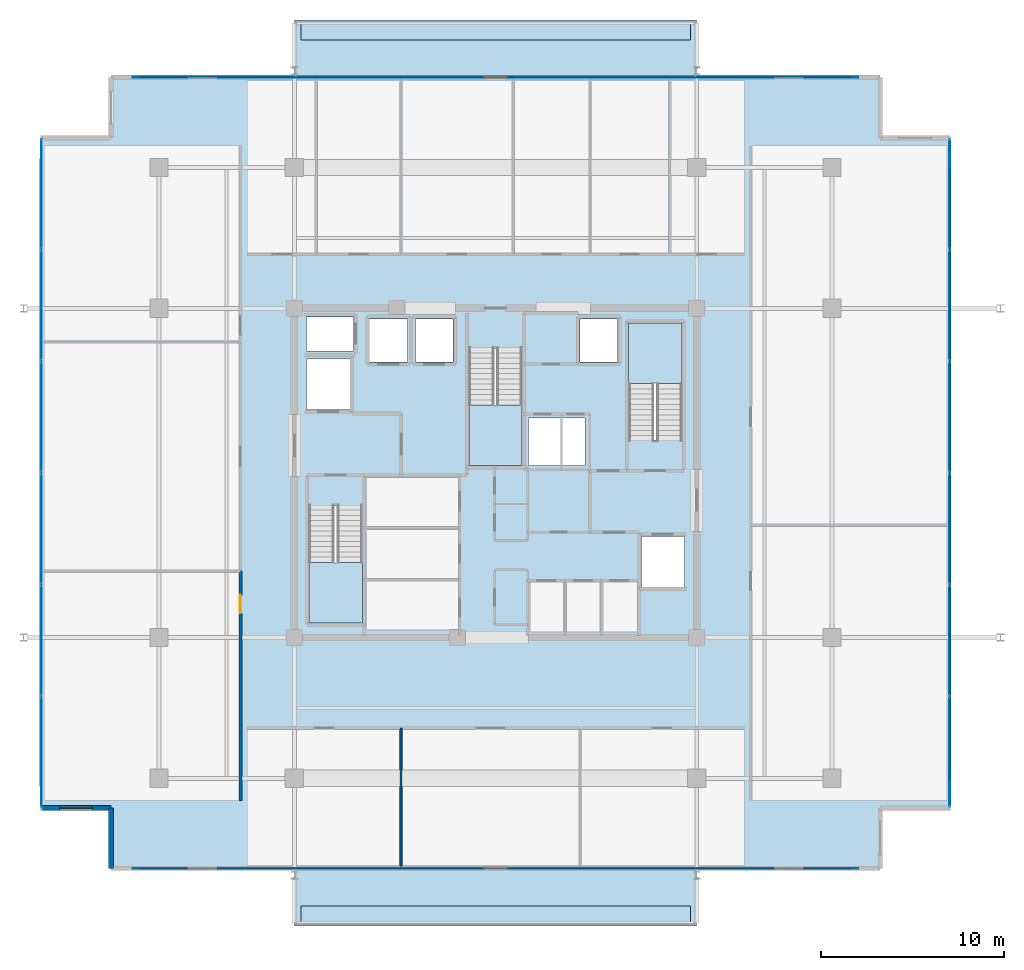
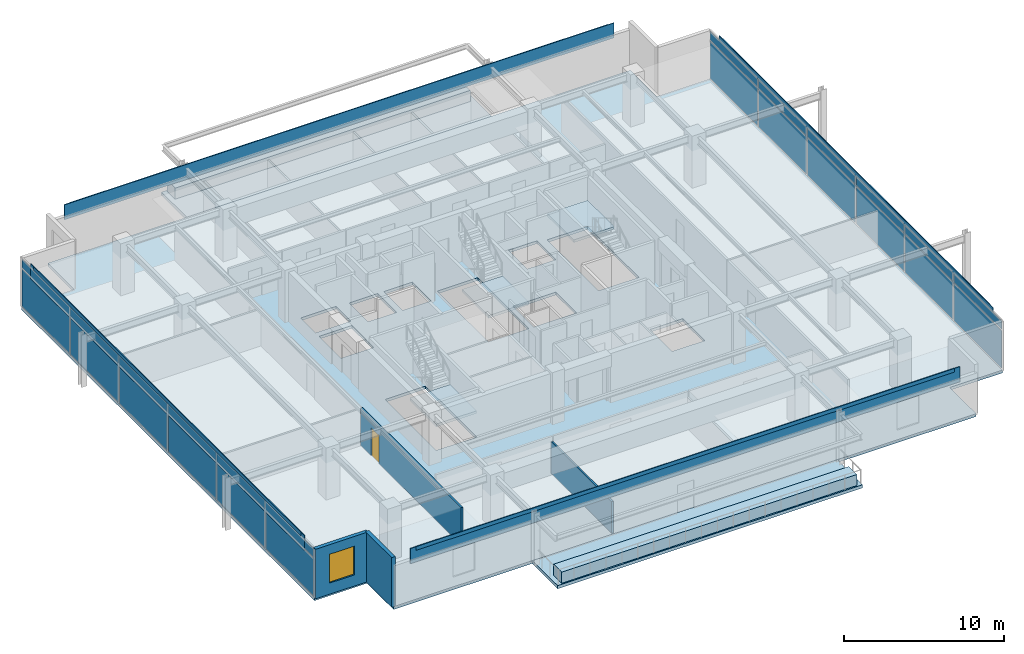
# One storey, part 12 of 20: 32 plates, 8 slabs, 4 walls, 1 door, 1 window, 2 openings, 5 elements without a shape of their own.
"""IFC4 building model written with IfcOpenShell, lengths in metres."""

from ifc_helpers import new_model, si_unit, direction, frame, frame_2d, origin, origin_2d, place, context, subcontext, project, spatial, polyline, rectangle, outline, extrude, material, layer, layer_set, type_object, element, fill, aggregate, save


model = new_model("IFC4")

# Units and contexts
model_context = context("Model", 3, precision=1e-05, world=origin(), true_north=direction((0.0, 1.0)))
body_context = subcontext(model_context, "Body", "Model", "MODEL_VIEW")
ifc_project = project(units=[si_unit("LENGTHUNIT", "METRE"), si_unit("AREAUNIT", "SQUARE_METRE"), si_unit("VOLUMEUNIT", "CUBIC_METRE"), si_unit("PLANEANGLEUNIT", "RADIAN"), si_unit("MASSUNIT", "GRAM", prefix="KILO")], contexts=[model_context])

# Site, building, storey
site_placement = place(None, origin())
site = spatial("IfcSite", under=ifc_project, at=site_placement, CompositionType="ELEMENT")
building_placement = place(site_placement, origin())
building = spatial("IfcBuilding", under=site, at=building_placement, Name="Kovane Verandah Tower", CompositionType="ELEMENT")
storey_placement = place(building_placement, frame((0.0, 0.0, 318.800048828125)))
storey = spatial("IfcBuildingStorey", under=building, at=storey_placement, Name="L74", CompositionType="ELEMENT", Elevation=318.800048828125)

# Curtain wall, plates
ifc_material_1 = material(Name="Champagne Anodised Aluminium Frame with Low-E Clear Laminated Glass", Category="aluminium")
curtain_wall_type = type_object("IfcCurtainWallType", Name="CW-SYS-05-HIGH", PredefinedType="NOTDEFINED", material=ifc_material_1)
curtain_wall_1_placement = place(storey_placement, origin())
curtain_wall_1 = element("IfcCurtainWall", 1, at=curtain_wall_1_placement, inside=storey, type_object=curtain_wall_type, Name="L74 E Unitised Curtain Wall", PredefinedType="NOTDEFINED")
ifc_material_2 = material(Name="Pale Champagne Anodised Aluminium Insulated Spandrel", Category="aluminium")
ifc_layer_1 = layer(ifc_material_2, 0.0400390625)
ifc_layer_set_1 = layer_set([ifc_layer_1], Name="Pale Champagne Anodised Aluminium Insulated Spandrel")
plate_type_1 = type_object("IfcPlateType", Name="PL-CW-SPD-40", PredefinedType="SHEET", material=ifc_layer_set_1)
plate_1_placement = place(storey_placement, frame((64.83154296875, 12.23681640625, 3.05517578125), z_axis=(0.0, 0.0, 1.0), x_axis=(0.0, 1.0, 0.0)))
plate_1 = element("IfcPlate", 2, at=plate_1_placement, type_object=plate_type_1, Name="L74 E Unitised Curtain Wall Spandrel Panel 1", PredefinedType="SHEET", context=body_context, shape_type="SweptSolid", body=[
    extrude(rectangle(XDim=5.965087890625, YDim=0.0400390625, at=origin_2d()), origin(), (0.0, 0.0, 1.0), 0.639892578125),
])
plate_2_placement = place(storey_placement, frame((64.83154296875, 18.34228515625, 3.05517578125), z_axis=(0.0, 0.0, 1.0), x_axis=(0.0, 1.0, 0.0)))
plate_2 = element("IfcPlate", 3, at=plate_2_placement, type_object=plate_type_1, Name="L74 E Unitised Curtain Wall Spandrel Panel 2", PredefinedType="SHEET", context=body_context, shape_type="SweptSolid", body=[
    extrude(rectangle(XDim=5.965087890625, YDim=0.0400390625, at=origin_2d()), origin(), (0.0, 0.0, 1.0), 0.639892578125),
])
plate_3_placement = place(storey_placement, frame((64.83154296875, 24.447509765625, 3.05517578125), z_axis=(0.0, 0.0, 1.0), x_axis=(0.0, 1.0, 0.0)))
plate_3 = element("IfcPlate", 4, at=plate_3_placement, type_object=plate_type_1, Name="L74 E Unitised Curtain Wall Spandrel Panel 3", PredefinedType="SHEET", context=body_context, shape_type="SweptSolid", body=[
    extrude(rectangle(XDim=5.965087890625, YDim=0.0400390625, at=origin_2d()), origin(), (0.0, 0.0, 1.0), 0.639892578125),
])
plate_4_placement = place(storey_placement, frame((64.83154296875, 30.552490234375, 3.05517578125), z_axis=(0.0, 0.0, 1.0), x_axis=(0.0, 1.0, 0.0)))
plate_4 = element("IfcPlate", 5, at=plate_4_placement, type_object=plate_type_1, Name="L74 E Unitised Curtain Wall Spandrel Panel 4", PredefinedType="SHEET", context=body_context, shape_type="SweptSolid", body=[
    extrude(rectangle(XDim=5.965087890625, YDim=0.0400390625, at=origin_2d()), origin(), (0.0, 0.0, 1.0), 0.639892578125),
])
plate_5_placement = place(storey_placement, frame((64.83154296875, 36.65771484375, 3.05517578125), z_axis=(0.0, 0.0, 1.0), x_axis=(0.0, 1.0, 0.0)))
plate_5 = element("IfcPlate", 6, at=plate_5_placement, type_object=plate_type_1, Name="L74 E Unitised Curtain Wall Spandrel Panel 5", PredefinedType="SHEET", context=body_context, shape_type="SweptSolid", body=[
    extrude(rectangle(XDim=5.965087890625, YDim=0.0400390625, at=origin_2d()), origin(), (0.0, 0.0, 1.0), 0.639892578125),
])
plate_6_placement = place(storey_placement, frame((64.83154296875, 42.76318359375, 3.05517578125), z_axis=(0.0, 0.0, 1.0), x_axis=(0.0, 1.0, 0.0)))
plate_6 = element("IfcPlate", 7, at=plate_6_placement, type_object=plate_type_1, Name="L74 E Unitised Curtain Wall Spandrel Panel 6", PredefinedType="SHEET", context=body_context, shape_type="SweptSolid", body=[
    extrude(rectangle(XDim=5.965087890625, YDim=0.0400390625, at=origin_2d()), origin(), (0.0, 0.0, 1.0), 0.639892578125),
])

curtain_wall_2_placement = place(storey_placement, origin())
curtain_wall_2 = element("IfcCurtainWall", 8, at=curtain_wall_2_placement, inside=storey, type_object=curtain_wall_type, Name="L74 W Unitised Curtain Wall", PredefinedType="NOTDEFINED")
plate_7_placement = place(storey_placement, frame((15.16845703125, 42.76318359375, 3.05517578125), z_axis=(0.0, 0.0, 1.0), x_axis=(0.0, -1.0, 0.0)))
plate_7 = element("IfcPlate", 9, at=plate_7_placement, type_object=plate_type_1, Name="L74 W Unitised Curtain Wall Spandrel Panel 1", PredefinedType="SHEET", context=body_context, shape_type="SweptSolid", body=[
    extrude(rectangle(XDim=5.965087890625, YDim=0.0400390625, at=origin_2d()), origin(), (0.0, 0.0, 1.0), 0.639892578125),
])
plate_8_placement = place(storey_placement, frame((15.16845703125, 36.65771484375, 3.05517578125), z_axis=(0.0, 0.0, 1.0), x_axis=(0.0, -1.0, 0.0)))
plate_8 = element("IfcPlate", 10, at=plate_8_placement, type_object=plate_type_1, Name="L74 W Unitised Curtain Wall Spandrel Panel 2", PredefinedType="SHEET", context=body_context, shape_type="SweptSolid", body=[
    extrude(rectangle(XDim=5.965087890625, YDim=0.0400390625, at=origin_2d()), origin(), (0.0, 0.0, 1.0), 0.639892578125),
])
plate_9_placement = place(storey_placement, frame((15.16845703125, 30.552490234375, 3.05517578125), z_axis=(0.0, 0.0, 1.0), x_axis=(0.0, -1.0, 0.0)))
plate_9 = element("IfcPlate", 11, at=plate_9_placement, type_object=plate_type_1, Name="L74 W Unitised Curtain Wall Spandrel Panel 3", PredefinedType="SHEET", context=body_context, shape_type="SweptSolid", body=[
    extrude(rectangle(XDim=5.965087890625, YDim=0.0400390625, at=origin_2d()), origin(), (0.0, 0.0, 1.0), 0.639892578125),
])
plate_10_placement = place(storey_placement, frame((15.16845703125, 24.447509765625, 3.05517578125), z_axis=(0.0, 0.0, 1.0), x_axis=(0.0, -1.0, 0.0)))
plate_10 = element("IfcPlate", 12, at=plate_10_placement, type_object=plate_type_1, Name="L74 W Unitised Curtain Wall Spandrel Panel 4", PredefinedType="SHEET", context=body_context, shape_type="SweptSolid", body=[
    extrude(rectangle(XDim=5.965087890625, YDim=0.0400390625, at=origin_2d()), origin(), (0.0, 0.0, 1.0), 0.639892578125),
])
plate_11_placement = place(storey_placement, frame((15.16845703125, 18.342041015625, 3.05517578125), z_axis=(0.0, 0.0, 1.0), x_axis=(0.0, -1.0, 0.0)))
plate_11 = element("IfcPlate", 13, at=plate_11_placement, type_object=plate_type_1, Name="L74 W Unitised Curtain Wall Spandrel Panel 5", PredefinedType="SHEET", context=body_context, shape_type="SweptSolid", body=[
    extrude(rectangle(XDim=5.965087890625, YDim=0.0400390625, at=origin_2d()), origin(), (0.0, 0.0, 1.0), 0.639892578125),
])
plate_12_placement = place(storey_placement, frame((15.16845703125, 12.23681640625, 3.05517578125), z_axis=(0.0, 0.0, 1.0), x_axis=(0.0, -1.0, 0.0)))
plate_12 = element("IfcPlate", 14, at=plate_12_placement, type_object=plate_type_1, Name="L74 W Unitised Curtain Wall Spandrel Panel 6", PredefinedType="SHEET", context=body_context, shape_type="SweptSolid", body=[
    extrude(rectangle(XDim=5.965087890625, YDim=0.0400390625, at=origin_2d()), origin(), (0.0, 0.0, 1.0), 0.639892578125),
])

# Plate
ifc_material_3 = material(Name="Clear Low-E Laminated Double Glazing", Category="glass")
ifc_layer_2 = layer(ifc_material_3, 0.031982421875)
ifc_layer_set_2 = layer_set([ifc_layer_2], Name="Clear Low-E Laminated Double Glazing")
plate_type_2 = type_object("IfcPlateType", Name="PL-CW-VIS-32", PredefinedType="CURTAIN_PANEL", material=ifc_layer_set_2)
plate_13_placement = place(storey_placement, frame((64.83154296875, 12.23681640625, 0.099853515625), z_axis=(0.0, 0.0, 1.0), x_axis=(0.0, 1.0, 0.0)))
plate_13 = element("IfcPlate", 15, at=plate_13_placement, type_object=plate_type_2, Name="L74 E Unitised Curtain Wall Vision Panel 1", PredefinedType="CURTAIN_PANEL", context=body_context, shape_type="SweptSolid", body=[
    extrude(rectangle(XDim=5.965087890625, YDim=0.031982421875, at=origin_2d()), origin(), (0.0, 0.0, 1.0), 2.85498046875),
])

plate_14_placement = place(storey_placement, frame((64.83154296875, 18.34228515625, 0.099853515625), z_axis=(0.0, 0.0, 1.0), x_axis=(0.0, 1.0, 0.0)))
plate_14 = element("IfcPlate", 16, at=plate_14_placement, type_object=plate_type_2, Name="L74 E Unitised Curtain Wall Vision Panel 2", PredefinedType="CURTAIN_PANEL", context=body_context, shape_type="SweptSolid", body=[
    extrude(rectangle(XDim=5.965087890625, YDim=0.031982421875, at=origin_2d()), origin(), (0.0, 0.0, 1.0), 2.85498046875),
])

plate_15_placement = place(storey_placement, frame((64.83154296875, 24.447509765625, 0.099853515625), z_axis=(0.0, 0.0, 1.0), x_axis=(0.0, 1.0, 0.0)))
plate_15 = element("IfcPlate", 17, at=plate_15_placement, type_object=plate_type_2, Name="L74 E Unitised Curtain Wall Vision Panel 3", PredefinedType="CURTAIN_PANEL", context=body_context, shape_type="SweptSolid", body=[
    extrude(rectangle(XDim=5.965087890625, YDim=0.031982421875, at=origin_2d()), origin(), (0.0, 0.0, 1.0), 2.85498046875),
])

plate_16_placement = place(storey_placement, frame((64.83154296875, 30.552490234375, 0.099853515625), z_axis=(0.0, 0.0, 1.0), x_axis=(0.0, 1.0, 0.0)))
plate_16 = element("IfcPlate", 18, at=plate_16_placement, type_object=plate_type_2, Name="L74 E Unitised Curtain Wall Vision Panel 4", PredefinedType="CURTAIN_PANEL", context=body_context, shape_type="SweptSolid", body=[
    extrude(rectangle(XDim=5.965087890625, YDim=0.031982421875, at=origin_2d()), origin(), (0.0, 0.0, 1.0), 2.85498046875),
])

plate_17_placement = place(storey_placement, frame((64.83154296875, 36.65771484375, 0.099853515625), z_axis=(0.0, 0.0, 1.0), x_axis=(0.0, 1.0, 0.0)))
plate_17 = element("IfcPlate", 19, at=plate_17_placement, type_object=plate_type_2, Name="L74 E Unitised Curtain Wall Vision Panel 5", PredefinedType="CURTAIN_PANEL", context=body_context, shape_type="SweptSolid", body=[
    extrude(rectangle(XDim=5.965087890625, YDim=0.031982421875, at=origin_2d()), origin(), (0.0, 0.0, 1.0), 2.85498046875),
])

plate_18_placement = place(storey_placement, frame((64.83154296875, 42.76318359375, 0.099853515625), z_axis=(0.0, 0.0, 1.0), x_axis=(0.0, 1.0, 0.0)))
plate_18 = element("IfcPlate", 20, at=plate_18_placement, type_object=plate_type_2, Name="L74 E Unitised Curtain Wall Vision Panel 6", PredefinedType="CURTAIN_PANEL", context=body_context, shape_type="SweptSolid", body=[
    extrude(rectangle(XDim=5.965087890625, YDim=0.031982421875, at=origin_2d()), origin(), (0.0, 0.0, 1.0), 2.85498046875),
])

aggregate(curtain_wall_1, [plate_13, plate_1, plate_14, plate_2, plate_15, plate_3, plate_16, plate_4, plate_17, plate_5, plate_18, plate_6])

plate_19_placement = place(storey_placement, frame((15.16845703125, 42.76318359375, 0.099853515625), z_axis=(0.0, 0.0, 1.0), x_axis=(0.0, -1.0, 0.0)))
plate_19 = element("IfcPlate", 21, at=plate_19_placement, type_object=plate_type_2, Name="L74 W Unitised Curtain Wall Vision Panel 1", PredefinedType="CURTAIN_PANEL", context=body_context, shape_type="SweptSolid", body=[
    extrude(rectangle(XDim=5.965087890625, YDim=0.031982421875, at=origin_2d()), origin(), (0.0, 0.0, 1.0), 2.85498046875),
])

plate_20_placement = place(storey_placement, frame((15.16845703125, 36.65771484375, 0.099853515625), z_axis=(0.0, 0.0, 1.0), x_axis=(0.0, -1.0, 0.0)))
plate_20 = element("IfcPlate", 22, at=plate_20_placement, type_object=plate_type_2, Name="L74 W Unitised Curtain Wall Vision Panel 2", PredefinedType="CURTAIN_PANEL", context=body_context, shape_type="SweptSolid", body=[
    extrude(rectangle(XDim=5.965087890625, YDim=0.031982421875, at=origin_2d()), origin(), (0.0, 0.0, 1.0), 2.85498046875),
])

plate_21_placement = place(storey_placement, frame((15.16845703125, 30.552490234375, 0.099853515625), z_axis=(0.0, 0.0, 1.0), x_axis=(0.0, -1.0, 0.0)))
plate_21 = element("IfcPlate", 23, at=plate_21_placement, type_object=plate_type_2, Name="L74 W Unitised Curtain Wall Vision Panel 3", PredefinedType="CURTAIN_PANEL", context=body_context, shape_type="SweptSolid", body=[
    extrude(rectangle(XDim=5.965087890625, YDim=0.031982421875, at=origin_2d()), origin(), (0.0, 0.0, 1.0), 2.85498046875),
])

plate_22_placement = place(storey_placement, frame((15.16845703125, 24.447509765625, 0.099853515625), z_axis=(0.0, 0.0, 1.0), x_axis=(0.0, -1.0, 0.0)))
plate_22 = element("IfcPlate", 24, at=plate_22_placement, type_object=plate_type_2, Name="L74 W Unitised Curtain Wall Vision Panel 4", PredefinedType="CURTAIN_PANEL", context=body_context, shape_type="SweptSolid", body=[
    extrude(rectangle(XDim=5.965087890625, YDim=0.031982421875, at=origin_2d()), origin(), (0.0, 0.0, 1.0), 2.85498046875),
])

plate_23_placement = place(storey_placement, frame((15.16845703125, 18.342041015625, 0.099853515625), z_axis=(0.0, 0.0, 1.0), x_axis=(0.0, -1.0, 0.0)))
plate_23 = element("IfcPlate", 25, at=plate_23_placement, type_object=plate_type_2, Name="L74 W Unitised Curtain Wall Vision Panel 5", PredefinedType="CURTAIN_PANEL", context=body_context, shape_type="SweptSolid", body=[
    extrude(rectangle(XDim=5.965087890625, YDim=0.031982421875, at=origin_2d()), origin(), (0.0, 0.0, 1.0), 2.85498046875),
])

plate_24_placement = place(storey_placement, frame((15.16845703125, 12.23681640625, 0.099853515625), z_axis=(0.0, 0.0, 1.0), x_axis=(0.0, -1.0, 0.0)))
plate_24 = element("IfcPlate", 26, at=plate_24_placement, type_object=plate_type_2, Name="L74 W Unitised Curtain Wall Vision Panel 6", PredefinedType="CURTAIN_PANEL", context=body_context, shape_type="SweptSolid", body=[
    extrude(rectangle(XDim=5.965087890625, YDim=0.031982421875, at=origin_2d()), origin(), (0.0, 0.0, 1.0), 2.85498046875),
])

aggregate(curtain_wall_2, [plate_19, plate_7, plate_20, plate_8, plate_21, plate_9, plate_22, plate_10, plate_23, plate_11, plate_24, plate_12])

# Plates
ifc_material_4 = material(Name="Perforated Pale Champagne Anodised Aluminium Solar Screen", Category="aluminium")
ifc_layer_3 = layer(ifc_material_4, 0.050048828125)
ifc_layer_set_3 = layer_set([ifc_layer_3], Name="Perforated Pale Champagne Anodised Aluminium Solar Screen")
plate_type_3 = type_object("IfcPlateType", Name="PL-SCREEN-50", PredefinedType="USERDEFINED", material=ifc_layer_set_3)
plate_25_placement = place(storey_placement, frame((40.0, 5.869384765625, 2.885009765625), z_axis=(0.0, 0.0, 1.0), x_axis=(1.0, 0.0, 0.0)))
element("IfcPlate", 27, at=plate_25_placement, inside=storey, type_object=plate_type_3, Name="L74 S Perforated Champagne-Gold Solar Screen", ObjectType="SCREEN", PredefinedType="USERDEFINED", context=body_context, shape_type="SweptSolid", body=[
    extrude(rectangle(XDim=39.6630859375, YDim=0.050048828125, at=origin_2d()), origin(), (0.0, 0.0, 1.0), 1.14990234375),
])
plate_26_placement = place(storey_placement, frame((64.846435546875, 27.5, 2.885009765625), z_axis=(0.0, 0.0, 1.0), x_axis=(0.0, 1.0, 0.0)))
element("IfcPlate", 28, at=plate_26_placement, inside=storey, type_object=plate_type_3, Name="L74 E Perforated Champagne-Gold Solar Screen", ObjectType="SCREEN", PredefinedType="USERDEFINED", context=body_context, shape_type="SweptSolid", body=[
    extrude(rectangle(XDim=34.23095703125, YDim=0.050048828125, at=origin_2d()), origin(), (0.0, 0.0, 1.0), 1.14990234375),
])
plate_27_placement = place(storey_placement, frame((40.0, 49.130615234375, 2.885009765625), z_axis=(0.0, 0.0, 1.0), x_axis=(-1.0, 0.0, 0.0)))
element("IfcPlate", 29, at=plate_27_placement, inside=storey, type_object=plate_type_3, Name="L74 N Perforated Champagne-Gold Solar Screen", ObjectType="SCREEN", PredefinedType="USERDEFINED", context=body_context, shape_type="SweptSolid", body=[
    extrude(rectangle(XDim=39.6630859375, YDim=0.050048828125, at=origin_2d()), origin(), (0.0, 0.0, 1.0), 1.14990234375),
])
plate_28_placement = place(storey_placement, frame((15.153564453125, 27.5, 2.885009765625), z_axis=(0.0, 0.0, 1.0), x_axis=(0.0, -1.0, 0.0)))
element("IfcPlate", 30, at=plate_28_placement, inside=storey, type_object=plate_type_3, Name="L74 W Perforated Champagne-Gold Solar Screen", ObjectType="SCREEN", PredefinedType="USERDEFINED", context=body_context, shape_type="SweptSolid", body=[
    extrude(rectangle(XDim=34.23095703125, YDim=0.050048828125, at=origin_2d()), origin(), (0.0, 0.0, 1.0), 1.14990234375),
])
ifc_material_5 = material(Name="Extruded Pale-Bronze Aluminium Aerofoil Sunshade", Category="aluminium")
ifc_layer_4 = layer(ifc_material_5, 0.06005859375)
ifc_layer_set_4 = layer_set([ifc_layer_4], Name="Extruded Pale-Bronze Aluminium Aerofoil Sunshade")
plate_type_4 = type_object("IfcPlateType", Name="PL-SUNSHADE-60", PredefinedType="USERDEFINED", material=ifc_layer_set_4)
plate_29_placement = place(storey_placement, frame((40.0, 5.8642578125, 3.76513671875), z_axis=(0.0, 0.0, 1.0), x_axis=(1.0, 0.0, 0.0)))
element("IfcPlate", 31, at=plate_29_placement, inside=storey, type_object=plate_type_4, Name="L74 S Subtropical Aerofoil Sunshade", ObjectType="SUNSHADE", PredefinedType="USERDEFINED", context=body_context, shape_type="SweptSolid", body=[
    extrude(rectangle(XDim=38.863037109375, YDim=0.06005859375, at=origin_2d()), origin(), (0.0, 0.0, 1.0), 0.280029296875),
])
plate_30_placement = place(storey_placement, frame((64.8515625, 27.5, 3.76513671875), z_axis=(0.0, 0.0, 1.0), x_axis=(0.0, 1.0, 0.0)))
element("IfcPlate", 32, at=plate_30_placement, inside=storey, type_object=plate_type_4, Name="L74 E Subtropical Aerofoil Sunshade", ObjectType="SUNSHADE", PredefinedType="USERDEFINED", context=body_context, shape_type="SweptSolid", body=[
    extrude(rectangle(XDim=33.430908203125, YDim=0.06005859375, at=origin_2d()), origin(), (0.0, 0.0, 1.0), 0.280029296875),
])
plate_31_placement = place(storey_placement, frame((40.0, 49.1357421875, 3.76513671875), z_axis=(0.0, 0.0, 1.0), x_axis=(-1.0, 0.0, 0.0)))
element("IfcPlate", 33, at=plate_31_placement, inside=storey, type_object=plate_type_4, Name="L74 N Subtropical Aerofoil Sunshade", ObjectType="SUNSHADE", PredefinedType="USERDEFINED", context=body_context, shape_type="SweptSolid", body=[
    extrude(rectangle(XDim=38.863037109375, YDim=0.06005859375, at=origin_2d()), origin(), (0.0, 0.0, 1.0), 0.280029296875),
])
plate_32_placement = place(storey_placement, frame((15.1484375, 27.5, 3.76513671875), z_axis=(0.0, 0.0, 1.0), x_axis=(0.0, -1.0, 0.0)))
element("IfcPlate", 34, at=plate_32_placement, inside=storey, type_object=plate_type_4, Name="L74 W Subtropical Aerofoil Sunshade", ObjectType="SUNSHADE", PredefinedType="USERDEFINED", context=body_context, shape_type="SweptSolid", body=[
    extrude(rectangle(XDim=33.430908203125, YDim=0.06005859375, at=origin_2d()), origin(), (0.0, 0.0, 1.0), 0.280029296875),
])

# Slabs
ifc_material_6 = material(Name="Concrete C45/55", Category="concrete")
ifc_layer_5 = layer(ifc_material_6, 0.239990234375)
ifc_layer_set_5 = layer_set([ifc_layer_5], Name="Concrete C45/55")
slab_type_1 = type_object("IfcSlabType", Name="SL-BALC-240", PredefinedType="FLOOR", material=ifc_layer_set_5)
slab_1_placement = place(storey_placement, frame((0.0, 0.0, -0.239990234375)))
element("IfcSlab", 35, at=slab_1_placement, inside=storey, type_object=slab_type_1, Name="L74 N Planted Verandah Balcony Slab", PredefinedType="FLOOR", context=body_context, shape_type="SweptSolid", body=[
    extrude(outline(polyline([(29.0, 49.11572265625), (51.0, 49.11572265625), (51.0, 52.265625), (29.0, 52.265625), (29.0, 49.11572265625)])), origin(), (0.0, 0.0, 1.0), 0.239990234375),
])
slab_2_placement = place(storey_placement, frame((0.0, 0.0, -0.239990234375)))
element("IfcSlab", 36, at=slab_2_placement, inside=storey, type_object=slab_type_1, Name="L74 S Planted Verandah Balcony Slab", PredefinedType="FLOOR", context=body_context, shape_type="SweptSolid", body=[
    extrude(outline(polyline([(29.0, 2.734375), (51.0, 2.734375), (51.0, 5.88427734375), (29.0, 5.88427734375), (29.0, 2.734375)])), origin(), (0.0, 0.0, 1.0), 0.239990234375),
])
ifc_layer_6 = layer(ifc_material_6, 0.215087890625)
ifc_layer_set_6 = layer_set([ifc_layer_6], Name="Concrete C45/55")
slab_type_2 = type_object("IfcSlabType", Name="SL-HIGH-215", PredefinedType="FLOOR", material=ifc_layer_set_6)
slab_3_placement = place(storey_placement, frame((0.0, 0.0, -0.215087890625)))
element("IfcSlab", 37, at=slab_3_placement, inside=storey, type_object=slab_type_2, Name="L74 Structural Floor Slab", PredefinedType="FLOOR", context=body_context, shape_type="SweptSolid", body=[
    extrude(outline(polyline([(18.968505859375, 5.88427734375), (61.031494140625, 5.88427734375), (61.031494140625, 9.184326171875), (64.83154296875, 9.184326171875), (64.83154296875, 45.815673828125), (61.031494140625, 45.815673828125), (61.031494140625, 49.11572265625), (18.968505859375, 49.11572265625), (18.968505859375, 45.815673828125), (15.16845703125, 45.815673828125), (15.16845703125, 9.184326171875), (18.968505859375, 9.184326171875), (18.968505859375, 5.88427734375)]), holes=[polyline([(29.800048828125, 19.300048828125), (32.719970703125, 19.300048828125), (32.719970703125, 25.705078125), (29.800048828125, 25.705078125), (29.800048828125, 19.300048828125)]), polyline([(47.280029296875, 29.294921875), (50.199951171875, 29.294921875), (50.199951171875, 35.699951171875), (47.280029296875, 35.699951171875), (47.280029296875, 29.294921875)]), polyline([(38.5400390625, 27.89990234375), (41.4599609375, 27.89990234375), (41.4599609375, 34.304931640625), (38.5400390625, 34.304931640625), (38.5400390625, 27.89990234375)]), polyline([(29.669921875, 30.969970703125), (32.030029296875, 30.969970703125), (32.030029296875, 33.72998046875), (29.669921875, 33.72998046875), (29.669921875, 30.969970703125)]), polyline([(47.969970703125, 21.27001953125), (50.330078125, 21.27001953125), (50.330078125, 24.030029296875), (47.969970703125, 24.030029296875), (47.969970703125, 21.27001953125)]), polyline([(29.669921875, 34.169921875), (32.22998046875, 34.169921875), (32.22998046875, 36.030029296875), (29.669921875, 36.030029296875), (29.669921875, 34.169921875)]), polyline([(33.1201171875, 33.570068359375), (35.179931640625, 33.570068359375), (35.179931640625, 35.929931640625), (33.1201171875, 35.929931640625), (33.1201171875, 33.570068359375)]), polyline([(35.6201171875, 33.570068359375), (37.679931640625, 33.570068359375), (37.679931640625, 35.929931640625), (35.6201171875, 35.929931640625), (35.6201171875, 33.570068359375)]), polyline([(44.6201171875, 33.570068359375), (46.679931640625, 33.570068359375), (46.679931640625, 35.929931640625), (44.6201171875, 35.929931640625), (44.6201171875, 33.570068359375)]), polyline([(41.800048828125, 27.89990234375), (44.89990234375, 27.89990234375), (44.89990234375, 30.5), (41.800048828125, 30.5), (41.800048828125, 27.89990234375)])]), origin(), (0.0, 0.0, 1.0), 0.215087890625),
])

# Stair, slab
stair_type = type_object("IfcStairType", Name="ST-CORE-1380", PredefinedType="HALF_TURN_STAIR", material=ifc_material_6)
stair_1_placement = place(storey_placement, origin())
stair_1 = element("IfcStair", 38, at=stair_1_placement, inside=storey, type_object=stair_type, Name="L74 Exit Stair ST-01", PredefinedType="HALF_TURN_STAIR")
ifc_layer_7 = layer(ifc_material_6, 0.199951171875)
ifc_layer_set_7 = layer_set([ifc_layer_7], Name="Concrete C45/55")
slab_type_3 = type_object("IfcSlabType", Name="SL-LAND-200", PredefinedType="LANDING", material=ifc_layer_set_7)
slab_4_placement = place(storey_placement, frame((0.0, 0.0, 1.800048828125)))
slab_4 = element("IfcSlab", 39, at=slab_4_placement, type_object=slab_type_3, Name="ST-01 landing 1", PredefinedType="LANDING", context=body_context, shape_type="SweptSolid", body=[
    extrude(outline(polyline([(29.800048828125, 22.614990234375), (29.800048828125, 19.300048828125), (32.719970703125, 19.300048828125), (32.719970703125, 22.614990234375), (29.800048828125, 22.614990234375)])), origin(), (0.0, 0.0, 1.0), 0.199951171875),
])
aggregate(stair_1, [slab_4])

stair_2_placement = place(storey_placement, origin())
stair_2 = element("IfcStair", 40, at=stair_2_placement, inside=storey, type_object=stair_type, Name="L74 Exit Stair ST-02", PredefinedType="HALF_TURN_STAIR")
slab_5_placement = place(storey_placement, frame((0.0, 0.0, 1.800048828125)))
slab_5 = element("IfcSlab", 41, at=slab_5_placement, type_object=slab_type_3, Name="ST-02 landing 1", PredefinedType="LANDING", context=body_context, shape_type="SweptSolid", body=[
    extrude(outline(polyline([(50.199951171875, 32.385009765625), (50.199951171875, 35.699951171875), (47.280029296875, 35.699951171875), (47.280029296875, 32.385009765625), (50.199951171875, 32.385009765625)])), origin(), (0.0, 0.0, 1.0), 0.199951171875),
])
aggregate(stair_2, [slab_5])

stair_3_placement = place(storey_placement, origin())
stair_3 = element("IfcStair", 42, at=stair_3_placement, inside=storey, type_object=stair_type, Name="L74 Exit Stair ST-03", PredefinedType="HALF_TURN_STAIR")
slab_6_placement = place(storey_placement, frame((0.0, 0.0, 1.800048828125)))
slab_6 = element("IfcSlab", 43, at=slab_6_placement, type_object=slab_type_3, Name="ST-03 landing 1", PredefinedType="LANDING", context=body_context, shape_type="SweptSolid", body=[
    extrude(outline(polyline([(38.5400390625, 31.215087890625), (38.5400390625, 27.89990234375), (41.4599609375, 27.89990234375), (41.4599609375, 31.215087890625), (38.5400390625, 31.215087890625)])), origin(), (0.0, 0.0, 1.0), 0.199951171875),
])
aggregate(stair_3, [slab_6])

# Slabs
ifc_material_7 = material(Name="Architectural Precast Concrete C45/55 Planter Trough", Category="concrete")
ifc_layer_8 = layer(ifc_material_7, 0.219970703125)
ifc_layer_set_8 = layer_set([ifc_layer_8], Name="Architectural Precast Concrete C45/55 Planter Trough")
slab_type_4 = type_object("IfcSlabType", Name="SL-PLANTER-220", PredefinedType="USERDEFINED", material=ifc_layer_set_8)
slab_7_placement = place(storey_placement, origin())
element("IfcSlab", 44, at=slab_7_placement, inside=storey, type_object=slab_type_4, Name="L74 N Structural Tree Planter", ObjectType="PLANTER", PredefinedType="USERDEFINED", context=body_context, shape_type="SweptSolid", body=[
    extrude(outline(polyline([(29.35009765625, 51.165771484375), (50.64990234375, 51.165771484375), (50.64990234375, 52.165771484375), (29.35009765625, 52.165771484375), (29.35009765625, 51.165771484375)])), origin(), (0.0, 0.0, 1.0), 0.849853515625),
])
slab_8_placement = place(storey_placement, origin())
element("IfcSlab", 45, at=slab_8_placement, inside=storey, type_object=slab_type_4, Name="L74 S Structural Tree Planter", ObjectType="PLANTER", PredefinedType="USERDEFINED", context=body_context, shape_type="SweptSolid", body=[
    extrude(outline(polyline([(29.35009765625, 2.834228515625), (50.64990234375, 2.834228515625), (50.64990234375, 3.834228515625), (29.35009765625, 3.834228515625), (29.35009765625, 2.834228515625)])), origin(), (0.0, 0.0, 1.0), 0.849853515625),
])

# Wall, opening, door
ifc_material_8 = material(Name="Fire-Rated Gypsum Stud Partition", Category="gypsum")
ifc_layer_9 = layer(ifc_material_8, 0.14990234375)
ifc_layer_set_9 = layer_set([ifc_layer_9], Name="Fire-Rated Gypsum Stud Partition")
wall_type_1 = type_object("IfcWallType", Name="WL-COR-150", PredefinedType="PARTITIONING", material=ifc_layer_set_9)
wall_1_placement = place(storey_placement, frame((26.050048828125, 9.584228515625, 0.0), z_axis=(0.0, 0.0, 1.0), x_axis=(0.0, 1.0, 0.0)))
wall_1 = element("IfcWall", 46, at=wall_1_placement, inside=storey, type_object=wall_type_1, Name="L74 Focus Studio W1 Corridor Partition", PredefinedType="PARTITIONING", context=body_context, shape_type="SweptSolid", body=[
    extrude(rectangle(XDim=12.541015625, YDim=0.14990234375, at=frame_2d((6.2705078125, 0.0))), origin(), (0.0, 0.0, 1.0), 2.849853515625),
])
opening_1_placement = place(wall_1_placement, frame((10.243408203125, 0.0, 0.0)))
opening_1 = element("IfcOpeningElement", 47, at=opening_1_placement, cuts=wall_1, Name="Opening DR-L74-035", PredefinedType="OPENING", context=body_context, shape_type="SweptSolid", body=[
    extrude(rectangle(XDim=1.0, YDim=2.14990234375, at=frame_2d((0.5, 1.074951171875))), frame((0.0, 0.074951171875, 0.0), z_axis=(0.0, -1.0, 0.0), x_axis=(1.0, 0.0, 0.0)), (0.0, 0.0, 1.0), 0.14990234375),
])
ifc_material_9 = material(Name="FSC Spotted-Gum Timber Fire-Rated Office Door", Category="wood")
door_type = type_object("IfcDoorType", Name="DR-OFF-1000", OperationType="SINGLE_SWING_LEFT", PredefinedType="DOOR", material=ifc_material_9)
door_placement = place(opening_1_placement, origin())
door = element("IfcDoor", 48, at=door_placement, inside=storey, type_object=door_type, Name="L74 Focus Studio W1 Entrance Door", OperationType="SINGLE_SWING_LEFT", OverallHeight=2.14990234375, OverallWidth=1.0, PredefinedType="DOOR", context=body_context, shape_type="SweptSolid", body=[
    extrude(rectangle(XDim=1.0, YDim=2.14990234375, at=frame_2d((0.5, 1.074951171875))), frame((0.0, 0.02490234375, 0.0), z_axis=(0.0, -1.0, 0.0), x_axis=(1.0, 0.0, 0.0)), (0.0, 0.0, 1.0), 0.050048828125),
])
fill(opening_1, door)

# Wall
ifc_material_10 = material(Name="Acoustic Fire-Rated Gypsum Partition", Category="gypsum")
ifc_layer_10 = layer(ifc_material_10, 0.1201171875)
ifc_layer_set_10 = layer_set([ifc_layer_10], Name="Acoustic Fire-Rated Gypsum Partition")
wall_type_2 = type_object("IfcWallType", Name="WL-PART-120", PredefinedType="PARTITIONING", material=ifc_layer_set_10)
wall_2_placement = place(storey_placement, frame((34.83203125, 5.984375, 0.0), z_axis=(0.0, 0.0, 1.0), x_axis=(0.0, 1.0, 0.0)))
element("IfcWall", 49, at=wall_2_placement, inside=storey, type_object=wall_type_2, Name="L74 Executive Office S1 Dividing Partition", PredefinedType="PARTITIONING", context=body_context, shape_type="SweptSolid", body=[
    extrude(rectangle(XDim=7.565673828125, YDim=0.1201171875, at=frame_2d((3.78271484375, 0.0))), origin(), (0.0, 0.0, 1.0), 2.4150390625),
])

# Wall, opening, window
ifc_material_11 = material(Name="Concrete C45/55 Insulated Spandrel Wall", Category="concrete")
ifc_layer_11 = layer(ifc_material_11, 0.260009765625)
ifc_layer_set_11 = layer_set([ifc_layer_11], Name="Concrete C45/55 Insulated Spandrel Wall")
wall_type_3 = type_object("IfcWallType", Name="WL-SPANDREL-260", PredefinedType="PARAPET", material=ifc_layer_set_11)
wall_3_placement = place(storey_placement, frame((15.16845703125, 9.184326171875, 0.0), z_axis=(0.0, 0.0, 1.0), x_axis=(1.0, 0.0, 0.0)))
wall_3 = element("IfcWall", 50, at=wall_3_placement, inside=storey, type_object=wall_type_3, Name="L74 SW Notch Cheek Wall 1", PredefinedType="PARAPET", context=body_context, shape_type="SweptSolid", body=[
    extrude(rectangle(XDim=3.800048828125, YDim=0.260009765625, at=frame_2d((1.89990234375, 0.0))), origin(), (0.0, 0.0, 1.0), 3.784912109375),
])
opening_2_placement = place(wall_3_placement, frame((1.0, 0.0, 0.85009765625)))
opening_2 = element("IfcOpeningElement", 51, at=opening_2_placement, cuts=wall_3, Name="Opening W-03", PredefinedType="OPENING", context=body_context, shape_type="SweptSolid", body=[
    extrude(rectangle(XDim=1.800048828125, YDim=2.199951171875, at=frame_2d((0.89990234375, 1.10009765625))), frame((0.0, 0.1298828125, 0.0), z_axis=(0.0, -1.0, 0.0), x_axis=(1.0, 0.0, 0.0)), (0.0, 0.0, 1.0), 0.260009765625),
])
ifc_material_12 = material(Name="Clear Low-E Laminated Double Glazing in Anodised Frame", Category="glass")
window_type = type_object("IfcWindowType", Name="WN-NOTCH-1800x2200", PartitioningType="SINGLE_PANEL", PredefinedType="WINDOW", material=ifc_material_12)
window_placement = place(opening_2_placement, origin())
window = element("IfcWindow", 52, at=window_placement, inside=storey, type_object=window_type, Name="L74 SW Re-Entrant Corner Operable Window", OverallHeight=2.199951171875, OverallWidth=1.800048828125, PartitioningType="SINGLE_PANEL", PredefinedType="WINDOW", context=body_context, shape_type="SweptSolid", body=[
    extrude(rectangle(XDim=1.800048828125, YDim=2.199951171875, at=frame_2d((0.89990234375, 1.10009765625))), frame((0.0, 0.030029296875, 0.0), z_axis=(0.0, -1.0, 0.0), x_axis=(1.0, 0.0, 0.0)), (0.0, 0.0, 1.0), 0.06005859375),
])
fill(opening_2, window)

# Wall
wall_4_placement = place(storey_placement, frame((18.968505859375, 9.184326171875, 0.0), z_axis=(0.0, 0.0, 1.0), x_axis=(0.0, -1.0, 0.0)))
element("IfcWall", 53, at=wall_4_placement, inside=storey, type_object=wall_type_3, Name="L74 SW Notch Cheek Wall 2", PredefinedType="PARAPET", context=body_context, shape_type="SweptSolid", body=[
    extrude(rectangle(XDim=3.300048828125, YDim=0.260009765625, at=frame_2d((1.64990234375, 0.0))), origin(), (0.0, 0.0, 1.0), 3.784912109375),
])

save(model, "model.ifc")
